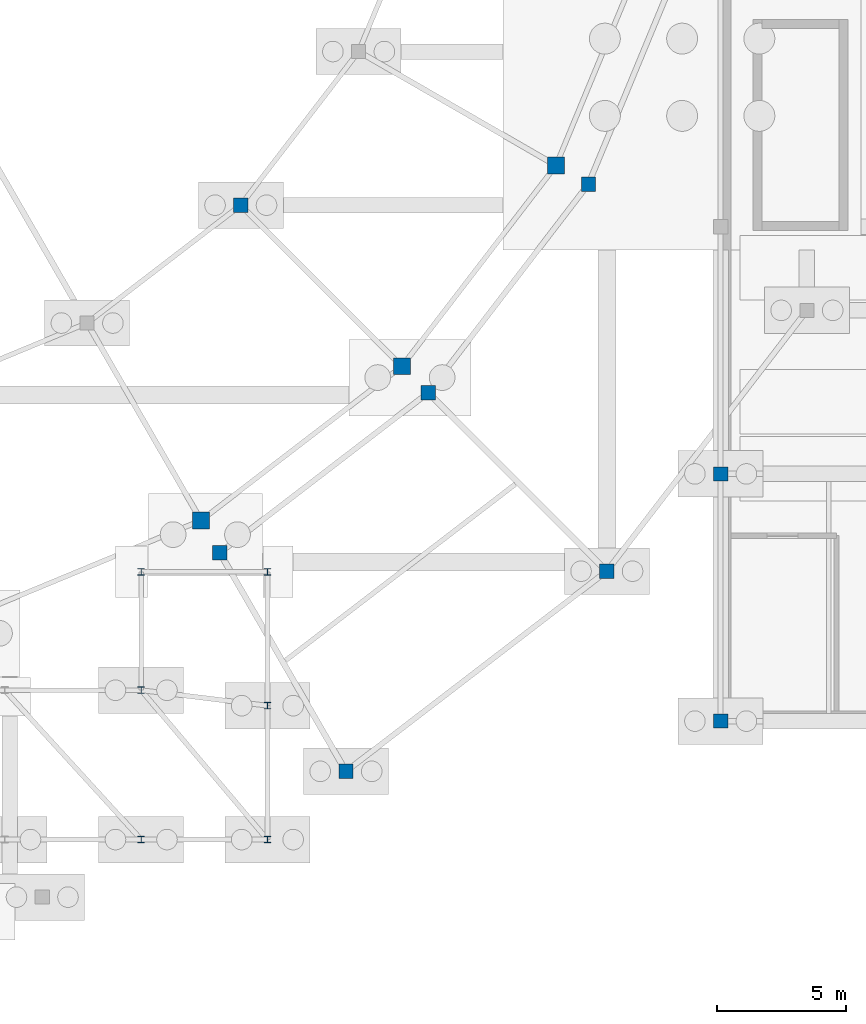
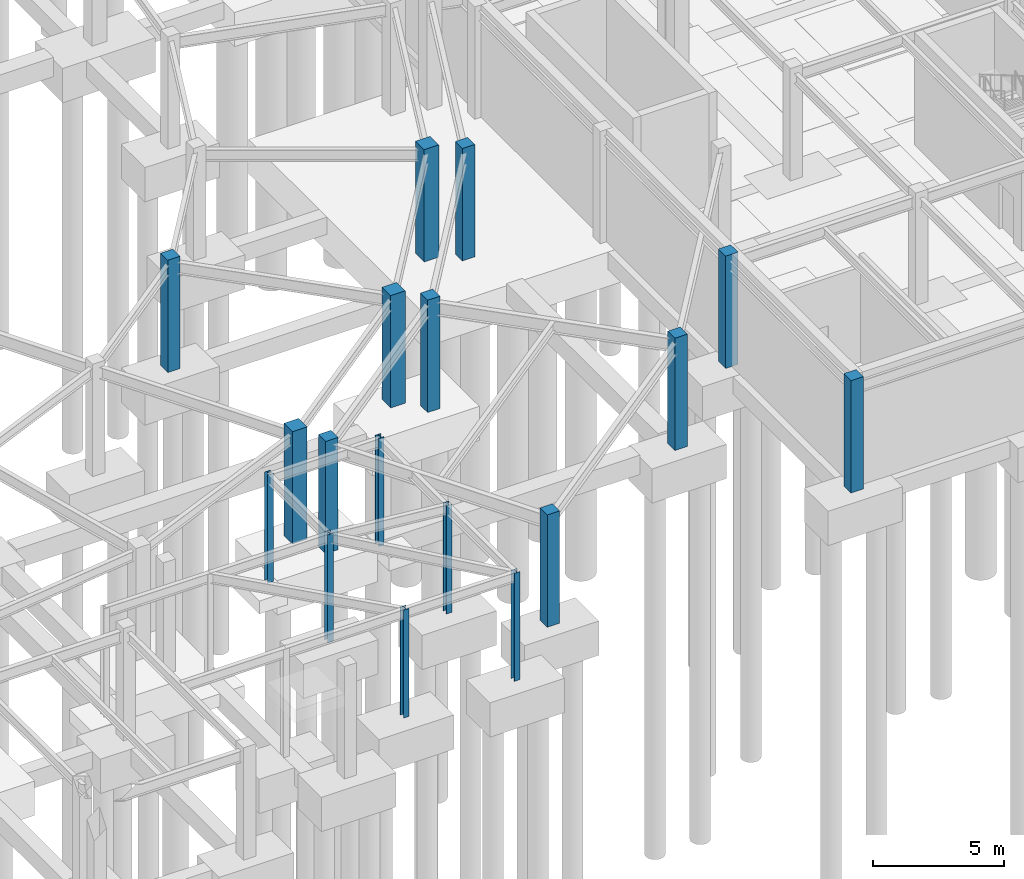
# One storey, part 17 of 55: 17 columns.
"""IFC4 building model written with IfcOpenShell, lengths in metres."""

import ifcopenshell
import ifcopenshell.guid

model = None  # the IFC model being written
_history = None  # IfcOwnerHistory: only IFC2X3 demands one
_inside = {}  # id of a spatial element -> (the spatial element, [elements in it])
_under = {}  # id of a project, library or spatial element -> (it, [spatial elements below it])
_declared = {}  # id of a project -> (the project, [libraries it declares])
_typed = {}  # id of a type object -> (the type object, [elements of that type])
_made_of = {}  # id of a material, layer set ... -> (it, [elements and type objects made of it])


def new_model(schema):
    """Start an empty IFC model of exactly this schema.

    Asked for "IFC4X3", IfcOpenShell would pick the latest addendum, in which some entities
    have other attributes; the version numbers below select the first issue.
    IFC2X3 requires an IfcOwnerHistory on every rooted entity: one is made here for all.
    """
    global model, _history
    if schema == "IFC4X3":
        model = ifcopenshell.file(schema_version=(4, 3, 0, 0))
    else:
        model = ifcopenshell.file(schema=schema)
    _inside.clear()
    _under.clear()
    _declared.clear()
    _typed.clear()
    _made_of.clear()
    _history = None
    if model.schema == "IFC2X3":
        org = make("IfcOrganization", Name="unknown")
        user = make(
            "IfcPersonAndOrganization",
            ThePerson=make("IfcPerson", FamilyName="unknown"),
            TheOrganization=org,
        )
        app = make(
            "IfcApplication",
            ApplicationDeveloper=org,
            Version="unknown",
            ApplicationFullName="unknown",
            ApplicationIdentifier="unknown",
        )
        _history = make(
            "IfcOwnerHistory",
            OwningUser=user,
            OwningApplication=app,
            ChangeAction="ADDED",
            CreationDate=0,
        )
    return model


def make(cls, **values):
    """One entity of the class cls with the attributes given. An attribute that is None is left unset."""
    return model.create_entity(
        cls, **{name: value for name, value in values.items() if value is not None}
    )


def rooted(cls, **values):
    """An entity with a GlobalId (a new one), such as an element, a storey or a relation."""
    return make(cls, GlobalId=ifcopenshell.guid.new(), OwnerHistory=_history, **values)


def si_unit(unit_type, name, prefix=None):
    """IfcSIUnit, for example si_unit("LENGTHUNIT", "METRE", prefix="MILLI")."""
    return make("IfcSIUnit", UnitType=unit_type, Prefix=prefix, Name=name)


def assignment(units):
    """IfcUnitAssignment: the units of a project."""
    return None if units is None else make("IfcUnitAssignment", Units=units)


def point(xyz):
    """IfcCartesianPoint."""
    return None if xyz is None else make("IfcCartesianPoint", Coordinates=xyz)


def direction(xyz):
    """IfcDirection."""
    return None if xyz is None else make("IfcDirection", DirectionRatios=xyz)


def frame(location, z_axis=None, x_axis=None):
    """IfcAxis2Placement3D, a coordinate frame: its origin and axes. An axis left out is left unset."""
    return make(
        "IfcAxis2Placement3D",
        Location=point(location),
        Axis=direction(z_axis),
        RefDirection=direction(x_axis),
    )


def frame_2d(location, x_axis=None):
    """IfcAxis2Placement2D, a coordinate frame in the plane: its origin and x axis."""
    return make(
        "IfcAxis2Placement2D", Location=point(location), RefDirection=direction(x_axis)
    )


def origin():
    """The frame at (0, 0, 0) with its axes left unset."""
    return frame((0.0, 0.0, 0.0))


def origin_2d():
    """The frame at (0, 0) in the plane with its x axis left unset."""
    return frame_2d((0.0, 0.0))


def place(relative_to, where):
    """IfcLocalPlacement: puts the frame where relative to a parent placement (None: the world)."""
    return make(
        "IfcLocalPlacement", PlacementRelTo=relative_to, RelativePlacement=where
    )


def context(
    kind, dimensions, precision=None, world=None, true_north=None, identifier=None
):
    """IfcGeometricRepresentationContext, for example the 3D "Model" context."""
    return make(
        "IfcGeometricRepresentationContext",
        ContextIdentifier=identifier,
        ContextType=kind,
        CoordinateSpaceDimension=dimensions,
        Precision=precision,
        WorldCoordinateSystem=world,
        TrueNorth=true_north,
    )


def subcontext(parent, identifier, kind, view, scale=None):
    """IfcGeometricRepresentationSubContext, for example "Body" below "Model"."""
    return make(
        "IfcGeometricRepresentationSubContext",
        ContextIdentifier=identifier,
        ContextType=kind,
        ParentContext=parent,
        TargetScale=scale,
        TargetView=view,
    )


def project(units=None, contexts=None):
    """IfcProject with its units and contexts."""
    return rooted(
        "IfcProject",
        Name="project",
        RepresentationContexts=contexts,
        UnitsInContext=assignment(units),
    )


def spatial(cls, under=None, at=None, **own):
    """A site, building, storey or space (cls), placed at a placement, below another one or the project."""
    s = rooted(cls, ObjectPlacement=at, **own)
    if under is not None:
        _under.setdefault(under.id(), (under, []))[1].append(s)
    return s


def profile(cls, at=None, kind="AREA", **sizes):
    """A parametric profile (cls). Its sizes go by their IFC names, for example OverallWidth=200.0."""
    return make(cls, ProfileType=kind, Position=at, **sizes)


def rectangle(**sizes):
    """IfcRectangleProfileDef."""
    return profile("IfcRectangleProfileDef", **sizes)


def i_section(**sizes):
    """IfcIShapeProfileDef."""
    return profile("IfcIShapeProfileDef", **sizes)


def extrude(swept, where, along, depth):
    """IfcExtrudedAreaSolid: the profile swept, set in the frame where, extruded along a direction by depth."""
    return make(
        "IfcExtrudedAreaSolid",
        SweptArea=swept,
        Position=where,
        ExtrudedDirection=direction(along),
        Depth=depth,
    )


def shape(context_of_items, identifier, shape_type, items):
    """IfcShapeRepresentation: the items that make up one representation, for example the "Body"."""
    return make(
        "IfcShapeRepresentation",
        ContextOfItems=context_of_items,
        RepresentationIdentifier=identifier,
        RepresentationType=shape_type,
        Items=items,
    )


def material(Name=None, Category=None):
    """IfcMaterial."""
    return make("IfcMaterial", Name=Name, Category=Category)


def material_profile(
    of_material, cross_section, Name=None, Category=None, Priority=None
):
    """IfcMaterialProfile: a cross section and its material."""
    return make(
        "IfcMaterialProfile",
        Name=Name,
        Material=of_material,
        Profile=cross_section,
        Priority=Priority,
        Category=Category,
    )


def profile_set(profiles, Name=None, composite=None):
    """IfcMaterialProfileSet."""
    return make(
        "IfcMaterialProfileSet",
        Name=Name,
        MaterialProfiles=profiles,
        CompositeProfile=composite,
    )


def made_of(thing, what):
    """Note that an element or type object is made of a material, layer set ...; save() writes the relation."""
    if what is not None:
        _made_of.setdefault(what.id(), (what, []))[1].append(thing)
    return thing


def type_object(cls, material=None, **own):
    """A type object (cls), such as IfcWallType, which elements share."""
    return made_of(rooted(cls, **own), material)


def element(
    cls,
    number,
    at=None,
    inside=None,
    cuts=None,
    type_object=None,
    material=None,
    context=None,
    identifier="Body",
    shape_type=None,
    held_by="IfcProductDefinitionShape",
    body=None,
    shapes=None,
    **own,
):
    """One element of the class cls, such as IfcWall. Its Tag is "e" and its number.

    at: its placement. inside: the storey or other place that contains it. cuts: it is an
    opening in that element (IfcRelVoidsElement). A single representation is given by context,
    identifier, shape_type and body (its items); several are given by shapes. held_by: the class
    of the entity that holds the representations. save() writes the other relations.
    """
    e = rooted(cls, Tag="e%d" % number, ObjectPlacement=at, **own)
    if body is not None:
        shapes = [shape(context, identifier, shape_type, body)]
    if shapes is not None:
        e.Representation = make(held_by, Representations=shapes)
    if inside is not None:
        _inside.setdefault(inside.id(), (inside, []))[1].append(e)
    if cuts is not None:
        rooted(
            "IfcRelVoidsElement", RelatingBuildingElement=cuts, RelatedOpeningElement=e
        )
    if type_object is not None:
        _typed.setdefault(type_object.id(), (type_object, []))[1].append(e)
    return made_of(e, material)


def aggregate(whole, parts):
    """IfcRelAggregates: a whole, such as a stair, and the parts it consists of."""
    return rooted("IfcRelAggregates", RelatingObject=whole, RelatedObjects=parts)


def save(model, path):
    """Write the relations noted so far, then the file.

    IfcRelAggregates (storeys below a building ...), IfcRelContainedInSpatialStructure (elements
    in a storey), IfcRelDefinesByType, IfcRelAssociatesMaterial and IfcRelDeclares: one each for
    every whole, place, type object, material and project.
    """
    for whole, parts in _under.values():
        aggregate(whole, parts)
    for where, things in _inside.values():
        rooted(
            "IfcRelContainedInSpatialStructure",
            RelatedElements=things,
            RelatingStructure=where,
        )
    for kind, things in _typed.values():
        rooted("IfcRelDefinesByType", RelatedObjects=things, RelatingType=kind)
    for what, things in _made_of.values():
        rooted("IfcRelAssociatesMaterial", RelatedObjects=things, RelatingMaterial=what)
    for by, libraries in _declared.values():
        rooted("IfcRelDeclares", RelatingContext=by, RelatedDefinitions=libraries)
    model.write(path)


model = new_model("IFC4")

# Units and contexts
model_context = context("Model", 3, precision=1e-05, world=origin(), true_north=direction((0.0, 1.0)))
body_context = subcontext(model_context, "Body", "Model", "MODEL_VIEW")
ifc_project = project(units=[si_unit("LENGTHUNIT", "METRE"), si_unit("AREAUNIT", "SQUARE_METRE"), si_unit("VOLUMEUNIT", "CUBIC_METRE"), si_unit("PLANEANGLEUNIT", "RADIAN"), si_unit("MASSUNIT", "GRAM", prefix="KILO")], contexts=[model_context])

# Site, building, storey
site_placement = place(None, origin())
site = spatial("IfcSite", under=ifc_project, at=site_placement, CompositionType="ELEMENT")
building_placement = place(site_placement, origin())
building = spatial("IfcBuilding", under=site, at=building_placement, Name="Almandine Court Research Institute", CompositionType="ELEMENT")
storey_placement = place(building_placement, frame((0.0, 0.0, -5.25)))
storey = spatial("IfcBuildingStorey", under=building, at=storey_placement, Name="B1", CompositionType="ELEMENT", Elevation=-5.25)

# Columns
ifc_material_1 = material(Name="Concrete C40/50", Category="concrete")
ifc_material_profile_1 = material_profile(ifc_material_1, rectangle(XDim=0.64990234375, YDim=0.64990234375, at=origin_2d()), Name="RC 650x650")
ifc_profile_set_1 = profile_set([ifc_material_profile_1], Name="Concrete C40/50")
column_type_1 = type_object("IfcColumnType", Name="Col-C-RC2", PredefinedType="COLUMN", material=ifc_profile_set_1)
for number, where, z_axis, x_axis, name in (
    (1, (105.824951171875, 23.39404296875, 0.0), (0.0, 0.0, 1.0), (1.0, 0.0, 0.0), "B1 V2 Column V2-OUT-S20"),
    (2, (113.623046875, 29.376953125, 0.0), (0.0, 0.0, 1.0), (1.0, 0.0, 0.0), "B1 V2 Column V2-OUT-S21"),
    (3, (119.60595703125, 37.175048828125, 0.0), (0.0, 0.0, 1.0), (1.0, 0.0, 0.0), "B1 V2 Column V2-OUT-S22"),
):
    element("IfcColumn", number, at=place(storey_placement, frame(where, z_axis=z_axis, x_axis=x_axis)), inside=storey, type_object=column_type_1, Name=name, PredefinedType="COLUMN", context=body_context, shape_type="SweptSolid", body=[
        extrude(rectangle(XDim=0.64990234375, YDim=0.64990234375, at=origin_2d()), origin(), (0.0, 0.0, 1.0), 5.25),
    ])
ifc_material_profile_2 = material_profile(ifc_material_1, rectangle(XDim=0.550048828125, YDim=0.550048828125, at=origin_2d()), Name="RC 550x550")
ifc_profile_set_2 = profile_set([ifc_material_profile_2], Name="Concrete C40/50")
column_type_2 = type_object("IfcColumnType", Name="Col-C-RC3", PredefinedType="COLUMN", material=ifc_profile_set_2)
for number, where, z_axis, x_axis, name in (
    (4, (126.0, 15.60009765625, 0.0), (0.0, 0.0, 1.0), (1.0, 0.0, 0.0), "B1 B1G Column B1G-X1Y1"),
    (5, (126.0, 25.199951171875, 0.0), (0.0, 0.0, 1.0), (1.0, 0.0, 0.0), "B1 B1G Column B1G-X1Y2"),
    (6, (106.550048828125, 22.137939453125, 0.0), (0.0, 0.0, 1.0), (1.0, 0.0, 0.0), "B1 V5 Column V5-IN-S20"),
    (7, (111.449951171875, 13.65087890625, 0.0), (0.0, 0.0, 1.0), (1.0, 0.0, 0.0), "B1 V5 Column V5-OUT-S20"),
    (8, (114.64794921875, 28.35205078125, 0.0), (0.0, 0.0, 1.0), (1.0, 0.0, 0.0), "B1 V5 Column V5-IN-S21"),
    (9, (121.577880859375, 21.422119140625, 0.0), (0.0, 0.0, 1.0), (1.0, 0.0, 0.0), "B1 V5 Column V5-OUT-S21"),
    (10, (120.862060546875, 36.449951171875, 0.0), (0.0, 0.0, 1.0), (1.0, 0.0, 0.0), "B1 V5 Column V5-IN-S22"),
    (11, (107.364990234375, 35.635009765625, 0.0), (0.0, 0.0, 1.0), (1.0, 0.0, 0.0), "B1 V2 Column V2-MID-S21"),
):
    element("IfcColumn", number, at=place(storey_placement, frame(where, z_axis=z_axis, x_axis=x_axis)), inside=storey, type_object=column_type_2, Name=name, PredefinedType="COLUMN", context=body_context, shape_type="SweptSolid", body=[
        extrude(rectangle(XDim=0.550048828125, YDim=0.550048828125, at=origin_2d()), origin(), (0.0, 0.0, 1.0), 5.25),
    ])
ifc_material_2 = material(Name="Steel ASTM A992 Grade 50", Category="steel")
ifc_material_profile_3 = material_profile(ifc_material_2, i_section(OverallWidth=0.25390625, OverallDepth=0.2529296875, WebThickness=0.009033203125, FlangeThickness=0.013916015625, at=origin_2d()), Name="W250x73")
ifc_profile_set_3 = profile_set([ifc_material_profile_3], Name="Steel ASTM A992 Grade 50")
column_type_3 = type_object("IfcColumnType", Name="Col-C-W10", PredefinedType="COLUMN", material=ifc_profile_set_3)
for number, where, z_axis, x_axis, name in (
    (12, (103.5, 16.800048828125, 0.0), (0.0, 0.0, 1.0), (1.0, 0.0, 0.0), "B1 Exterior Threshold Support Column PAD-PSH-E-IN2"),
    (13, (103.5, 21.39990234375, 0.0), (0.0, 0.0, 1.0), (1.0, 0.0, 0.0), "B1 Exterior Threshold Support Column PAD-PSH-E-IN3"),
    (14, (103.5, 11.0, 0.0), (0.0, 0.0, 1.0), (1.0, 0.0, 0.0), "B1 Exterior Threshold Support Column PAD-PSH-E-C2"),
    (15, (108.39990234375, 11.0, 0.0), (0.0, 0.0, 1.0), (1.0, 0.0, 0.0), "B1 Exterior Threshold Support Column PAD-PSH-E-C3"),
    (16, (108.39990234375, 16.199951171875, 0.0), (0.0, 0.0, 1.0), (1.0, 0.0, 0.0), "B1 Exterior Threshold Support Column PAD-PSH-E-C4"),
    (17, (108.39990234375, 21.39990234375, 0.0), (0.0, 0.0, 1.0), (1.0, 0.0, 0.0), "B1 Exterior Threshold Support Column PAD-PSH-E-C5"),
):
    element("IfcColumn", number, at=place(storey_placement, frame(where, z_axis=z_axis, x_axis=x_axis)), inside=storey, type_object=column_type_3, Name=name, PredefinedType="COLUMN", context=body_context, shape_type="SweptSolid", body=[
        extrude(i_section(OverallWidth=0.25390625, OverallDepth=0.2529296875, WebThickness=0.009033203125, FlangeThickness=0.013916015625, at=origin_2d()), origin(), (0.0, 0.0, 1.0), 5.050048828125),
    ])

save(model, "model.ifc")
